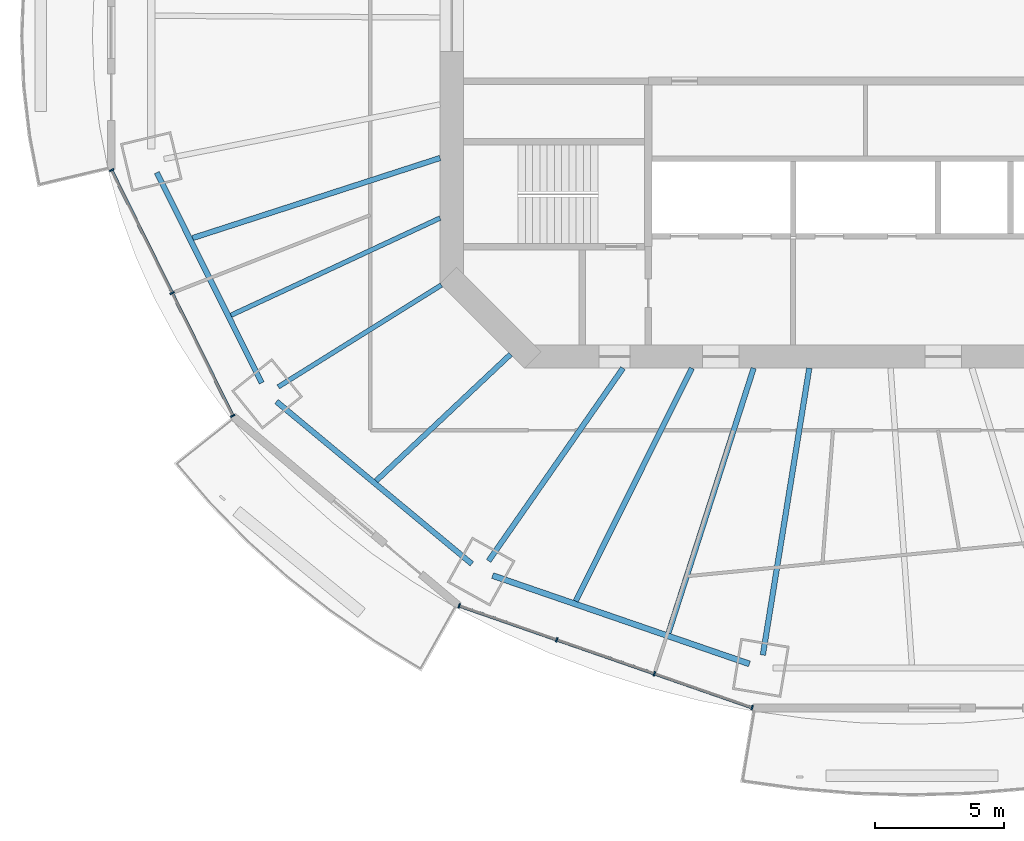
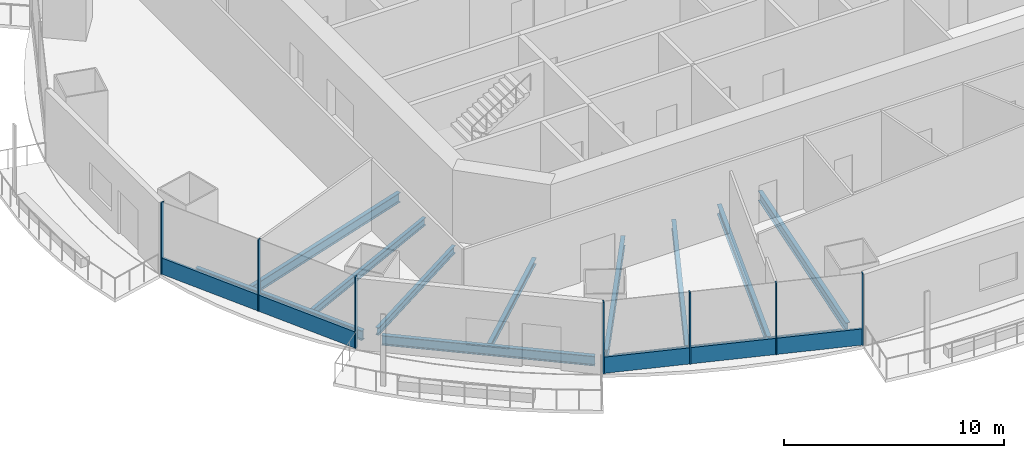
# One storey, part 2 of 21: 11 beams, 9 members, 2 elements without a shape of their own.
"""IFC4 building model written with IfcOpenShell, lengths in metres."""

import ifcopenshell
import ifcopenshell.guid

model = None  # the IFC model being written
_history = None  # IfcOwnerHistory: only IFC2X3 demands one
_inside = {}  # id of a spatial element -> (the spatial element, [elements in it])
_under = {}  # id of a project, library or spatial element -> (it, [spatial elements below it])
_declared = {}  # id of a project -> (the project, [libraries it declares])
_typed = {}  # id of a type object -> (the type object, [elements of that type])
_made_of = {}  # id of a material, layer set ... -> (it, [elements and type objects made of it])


def new_model(schema):
    """Start an empty IFC model of exactly this schema.

    Asked for "IFC4X3", IfcOpenShell would pick the latest addendum, in which some entities
    have other attributes; the version numbers below select the first issue.
    IFC2X3 requires an IfcOwnerHistory on every rooted entity: one is made here for all.
    """
    global model, _history
    if schema == "IFC4X3":
        model = ifcopenshell.file(schema_version=(4, 3, 0, 0))
    else:
        model = ifcopenshell.file(schema=schema)
    _inside.clear()
    _under.clear()
    _declared.clear()
    _typed.clear()
    _made_of.clear()
    _history = None
    if model.schema == "IFC2X3":
        org = make("IfcOrganization", Name="unknown")
        user = make(
            "IfcPersonAndOrganization",
            ThePerson=make("IfcPerson", FamilyName="unknown"),
            TheOrganization=org,
        )
        app = make(
            "IfcApplication",
            ApplicationDeveloper=org,
            Version="unknown",
            ApplicationFullName="unknown",
            ApplicationIdentifier="unknown",
        )
        _history = make(
            "IfcOwnerHistory",
            OwningUser=user,
            OwningApplication=app,
            ChangeAction="ADDED",
            CreationDate=0,
        )
    return model


def make(cls, **values):
    """One entity of the class cls with the attributes given. An attribute that is None is left unset."""
    return model.create_entity(
        cls, **{name: value for name, value in values.items() if value is not None}
    )


def rooted(cls, **values):
    """An entity with a GlobalId (a new one), such as an element, a storey or a relation."""
    return make(cls, GlobalId=ifcopenshell.guid.new(), OwnerHistory=_history, **values)


def si_unit(unit_type, name, prefix=None):
    """IfcSIUnit, for example si_unit("LENGTHUNIT", "METRE", prefix="MILLI")."""
    return make("IfcSIUnit", UnitType=unit_type, Prefix=prefix, Name=name)


def assignment(units):
    """IfcUnitAssignment: the units of a project."""
    return None if units is None else make("IfcUnitAssignment", Units=units)


def point(xyz):
    """IfcCartesianPoint."""
    return None if xyz is None else make("IfcCartesianPoint", Coordinates=xyz)


def direction(xyz):
    """IfcDirection."""
    return None if xyz is None else make("IfcDirection", DirectionRatios=xyz)


def frame(location, z_axis=None, x_axis=None):
    """IfcAxis2Placement3D, a coordinate frame: its origin and axes. An axis left out is left unset."""
    return make(
        "IfcAxis2Placement3D",
        Location=point(location),
        Axis=direction(z_axis),
        RefDirection=direction(x_axis),
    )


def frame_2d(location, x_axis=None):
    """IfcAxis2Placement2D, a coordinate frame in the plane: its origin and x axis."""
    return make(
        "IfcAxis2Placement2D", Location=point(location), RefDirection=direction(x_axis)
    )


def origin():
    """The frame at (0, 0, 0) with its axes left unset."""
    return frame((0.0, 0.0, 0.0))


def origin_2d():
    """The frame at (0, 0) in the plane with its x axis left unset."""
    return frame_2d((0.0, 0.0))


def place(relative_to, where):
    """IfcLocalPlacement: puts the frame where relative to a parent placement (None: the world)."""
    return make(
        "IfcLocalPlacement", PlacementRelTo=relative_to, RelativePlacement=where
    )


def context(
    kind, dimensions, precision=None, world=None, true_north=None, identifier=None
):
    """IfcGeometricRepresentationContext, for example the 3D "Model" context."""
    return make(
        "IfcGeometricRepresentationContext",
        ContextIdentifier=identifier,
        ContextType=kind,
        CoordinateSpaceDimension=dimensions,
        Precision=precision,
        WorldCoordinateSystem=world,
        TrueNorth=true_north,
    )


def subcontext(parent, identifier, kind, view, scale=None):
    """IfcGeometricRepresentationSubContext, for example "Body" below "Model"."""
    return make(
        "IfcGeometricRepresentationSubContext",
        ContextIdentifier=identifier,
        ContextType=kind,
        ParentContext=parent,
        TargetScale=scale,
        TargetView=view,
    )


def project(units=None, contexts=None):
    """IfcProject with its units and contexts."""
    return rooted(
        "IfcProject",
        Name="project",
        RepresentationContexts=contexts,
        UnitsInContext=assignment(units),
    )


def spatial(cls, under=None, at=None, **own):
    """A site, building, storey or space (cls), placed at a placement, below another one or the project."""
    s = rooted(cls, ObjectPlacement=at, **own)
    if under is not None:
        _under.setdefault(under.id(), (under, []))[1].append(s)
    return s


def profile(cls, at=None, kind="AREA", **sizes):
    """A parametric profile (cls). Its sizes go by their IFC names, for example OverallWidth=200.0."""
    return make(cls, ProfileType=kind, Position=at, **sizes)


def rectangle(**sizes):
    """IfcRectangleProfileDef."""
    return profile("IfcRectangleProfileDef", **sizes)


def i_section(**sizes):
    """IfcIShapeProfileDef."""
    return profile("IfcIShapeProfileDef", **sizes)


def extrude(swept, where, along, depth):
    """IfcExtrudedAreaSolid: the profile swept, set in the frame where, extruded along a direction by depth."""
    return make(
        "IfcExtrudedAreaSolid",
        SweptArea=swept,
        Position=where,
        ExtrudedDirection=direction(along),
        Depth=depth,
    )


def shape(context_of_items, identifier, shape_type, items):
    """IfcShapeRepresentation: the items that make up one representation, for example the "Body"."""
    return make(
        "IfcShapeRepresentation",
        ContextOfItems=context_of_items,
        RepresentationIdentifier=identifier,
        RepresentationType=shape_type,
        Items=items,
    )


def material(Name=None, Category=None):
    """IfcMaterial."""
    return make("IfcMaterial", Name=Name, Category=Category)


def material_profile(
    of_material, cross_section, Name=None, Category=None, Priority=None
):
    """IfcMaterialProfile: a cross section and its material."""
    return make(
        "IfcMaterialProfile",
        Name=Name,
        Material=of_material,
        Profile=cross_section,
        Priority=Priority,
        Category=Category,
    )


def profile_set(profiles, Name=None, composite=None):
    """IfcMaterialProfileSet."""
    return make(
        "IfcMaterialProfileSet",
        Name=Name,
        MaterialProfiles=profiles,
        CompositeProfile=composite,
    )


def made_of(thing, what):
    """Note that an element or type object is made of a material, layer set ...; save() writes the relation."""
    if what is not None:
        _made_of.setdefault(what.id(), (what, []))[1].append(thing)
    return thing


def type_object(cls, material=None, **own):
    """A type object (cls), such as IfcWallType, which elements share."""
    return made_of(rooted(cls, **own), material)


def element(
    cls,
    number,
    at=None,
    inside=None,
    cuts=None,
    type_object=None,
    material=None,
    context=None,
    identifier="Body",
    shape_type=None,
    held_by="IfcProductDefinitionShape",
    body=None,
    shapes=None,
    **own,
):
    """One element of the class cls, such as IfcWall. Its Tag is "e" and its number.

    at: its placement. inside: the storey or other place that contains it. cuts: it is an
    opening in that element (IfcRelVoidsElement). A single representation is given by context,
    identifier, shape_type and body (its items); several are given by shapes. held_by: the class
    of the entity that holds the representations. save() writes the other relations.
    """
    e = rooted(cls, Tag="e%d" % number, ObjectPlacement=at, **own)
    if body is not None:
        shapes = [shape(context, identifier, shape_type, body)]
    if shapes is not None:
        e.Representation = make(held_by, Representations=shapes)
    if inside is not None:
        _inside.setdefault(inside.id(), (inside, []))[1].append(e)
    if cuts is not None:
        rooted(
            "IfcRelVoidsElement", RelatingBuildingElement=cuts, RelatedOpeningElement=e
        )
    if type_object is not None:
        _typed.setdefault(type_object.id(), (type_object, []))[1].append(e)
    return made_of(e, material)


def aggregate(whole, parts):
    """IfcRelAggregates: a whole, such as a stair, and the parts it consists of."""
    return rooted("IfcRelAggregates", RelatingObject=whole, RelatedObjects=parts)


def save(model, path):
    """Write the relations noted so far, then the file.

    IfcRelAggregates (storeys below a building ...), IfcRelContainedInSpatialStructure (elements
    in a storey), IfcRelDefinesByType, IfcRelAssociatesMaterial and IfcRelDeclares: one each for
    every whole, place, type object, material and project.
    """
    for whole, parts in _under.values():
        aggregate(whole, parts)
    for where, things in _inside.values():
        rooted(
            "IfcRelContainedInSpatialStructure",
            RelatedElements=things,
            RelatingStructure=where,
        )
    for kind, things in _typed.values():
        rooted("IfcRelDefinesByType", RelatedObjects=things, RelatingType=kind)
    for what, things in _made_of.values():
        rooted("IfcRelAssociatesMaterial", RelatedObjects=things, RelatingMaterial=what)
    for by, libraries in _declared.values():
        rooted("IfcRelDeclares", RelatingContext=by, RelatedDefinitions=libraries)
    model.write(path)


model = new_model("IFC4")

# Units and contexts
model_context = context("Model", 3, precision=1e-05, world=origin(), true_north=direction((0.0, 1.0)))
body_context = subcontext(model_context, "Body", "Model", "MODEL_VIEW")
ifc_project = project(units=[si_unit("LENGTHUNIT", "METRE"), si_unit("AREAUNIT", "SQUARE_METRE"), si_unit("VOLUMEUNIT", "CUBIC_METRE"), si_unit("PLANEANGLEUNIT", "RADIAN"), si_unit("MASSUNIT", "GRAM", prefix="KILO")], contexts=[model_context])

# Site, building, storey
site_placement = place(None, origin())
site = spatial("IfcSite", under=ifc_project, at=site_placement, CompositionType="ELEMENT")
building_placement = place(site_placement, origin())
building = spatial("IfcBuilding", under=site, at=building_placement, Name="Marenthal Gate Tower", CompositionType="ELEMENT")
storey_placement = place(building_placement, frame((0.0, 0.0, 206.699951171875)))
storey = spatial("IfcBuildingStorey", under=building, at=storey_placement, Name="L45", CompositionType="ELEMENT", Elevation=206.699951171875)

# Curtain wall, members
ifc_material_1 = material(Name="Aluminium and glass", Category="aluminium")
curtain_wall_type = type_object("IfcCurtainWallType", Name="Curtain wall typical mid", PredefinedType="NOTDEFINED", material=ifc_material_1)
curtain_wall_1_placement = place(storey_placement, origin())
curtain_wall_1 = element("IfcCurtainWall", 1, at=curtain_wall_1_placement, inside=storey, type_object=curtain_wall_type, Name="Curtain wall L45 bay 9", PredefinedType="NOTDEFINED")
ifc_material_2 = material(Name="Aluminium", Category="aluminium")
ifc_material_profile_1 = material_profile(ifc_material_2, rectangle(XDim=0.179931640625, YDim=0.06005859375, at=origin_2d()), Name="60x180 aluminium mullion")
ifc_profile_set_1 = profile_set([ifc_material_profile_1], Name="Aluminium")
member_type_1 = type_object("IfcMemberType", Name="Mullion 60x180 typical mid", PredefinedType="MULLION", material=ifc_profile_set_1)
member_1_placement = place(storey_placement, frame((-29.152099609375, -5.7958984375, 0.0), z_axis=(0.0, 0.0, 1.0), x_axis=(0.896715617309, 0.442607164057, 0.0)))
member_1 = element("IfcMember", 2, at=member_1_placement, type_object=member_type_1, Name="Mullion L45 bay 9.1", PredefinedType="MULLION", context=body_context, shape_type="SweptSolid", body=[
    extrude(rectangle(XDim=0.179931640625, YDim=0.06005859375, at=origin_2d()), origin(), (0.0, 0.0, 1.0), 3.969970703125),
])
member_2_placement = place(storey_placement, frame((-26.808349609375, -10.54443359375, 0.0), z_axis=(0.0, 0.0, 1.0), x_axis=(0.896715617309, 0.442607164057, 0.0)))
member_2 = element("IfcMember", 3, at=member_2_placement, type_object=member_type_1, Name="Mullion L45 bay 9.2", PredefinedType="MULLION", context=body_context, shape_type="SweptSolid", body=[
    extrude(rectangle(XDim=0.179931640625, YDim=0.06005859375, at=origin_2d()), origin(), (0.0, 0.0, 1.0), 3.969970703125),
])
member_3_placement = place(storey_placement, frame((-24.46435546875, -15.29296875, 0.0), z_axis=(0.0, 0.0, 1.0), x_axis=(0.896715617309, 0.442607164057, 0.0)))
member_3 = element("IfcMember", 4, at=member_3_placement, type_object=member_type_1, Name="Mullion L45 bay 9.3", PredefinedType="MULLION", context=body_context, shape_type="SweptSolid", body=[
    extrude(rectangle(XDim=0.179931640625, YDim=0.06005859375, at=origin_2d()), origin(), (0.0, 0.0, 1.0), 3.969970703125),
])

curtain_wall_2_placement = place(storey_placement, origin())
curtain_wall_2 = element("IfcCurtainWall", 5, at=curtain_wall_2_placement, inside=storey, type_object=curtain_wall_type, Name="Curtain wall L45 bay 11", PredefinedType="NOTDEFINED")
member_4_placement = place(storey_placement, frame((-15.712158203125, -22.6396484375, 0.0), z_axis=(0.0, 0.0, 1.0), x_axis=(0.328332307555, 0.944562277362, 0.0)))
member_4 = element("IfcMember", 6, at=member_4_placement, type_object=member_type_1, Name="Mullion L45 bay 11.1", PredefinedType="MULLION", context=body_context, shape_type="SweptSolid", body=[
    extrude(rectangle(XDim=0.179931640625, YDim=0.06005859375, at=origin_2d()), origin(), (0.0, 0.0, 1.0), 3.969970703125),
])
member_5_placement = place(storey_placement, frame((-11.937255859375, -23.951904296875, 0.0), z_axis=(0.0, 0.0, 1.0), x_axis=(0.328332307555, 0.944562277362, 0.0)))
member_5 = element("IfcMember", 7, at=member_5_placement, type_object=member_type_1, Name="Mullion L45 bay 11.2", PredefinedType="MULLION", context=body_context, shape_type="SweptSolid", body=[
    extrude(rectangle(XDim=0.179931640625, YDim=0.06005859375, at=origin_2d()), origin(), (0.0, 0.0, 1.0), 3.969970703125),
])
member_6_placement = place(storey_placement, frame((-8.16259765625, -25.263916015625, 0.0), z_axis=(0.0, 0.0, 1.0), x_axis=(0.328332307555, 0.944562277362, 0.0)))
member_6 = element("IfcMember", 8, at=member_6_placement, type_object=member_type_1, Name="Mullion L45 bay 11.3", PredefinedType="MULLION", context=body_context, shape_type="SweptSolid", body=[
    extrude(rectangle(XDim=0.179931640625, YDim=0.06005859375, at=origin_2d()), origin(), (0.0, 0.0, 1.0), 3.969970703125),
])
member_7_placement = place(storey_placement, frame((-4.3876953125, -26.576171875, 0.0), z_axis=(0.0, 0.0, 1.0), x_axis=(0.328332307555, 0.944562277362, 0.0)))
member_7 = element("IfcMember", 9, at=member_7_placement, type_object=member_type_1, Name="Mullion L45 bay 11.4", PredefinedType="MULLION", context=body_context, shape_type="SweptSolid", body=[
    extrude(rectangle(XDim=0.179931640625, YDim=0.06005859375, at=origin_2d()), origin(), (0.0, 0.0, 1.0), 3.969970703125),
])

# Member
ifc_material_3 = material(Name="Aluminium", Category="aluminium")
ifc_material_profile_2 = material_profile(ifc_material_3, rectangle(XDim=0.1201171875, YDim=0.89990234375, at=origin_2d()), Name="120x900 aluminium transom")
ifc_profile_set_2 = profile_set([ifc_material_profile_2], Name="Aluminium")
member_type_2 = type_object("IfcMemberType", Name="Transom 120x900 typical mid", PredefinedType="USERDEFINED", material=ifc_profile_set_2)
member_8_placement = place(storey_placement, frame((-29.138916015625, -5.82275390625, 0.449951171875), z_axis=(0.442608192254, -0.896715109804, 0.0), x_axis=(0.896715109804, 0.442608192254, 0.0)))
member_8 = element("IfcMember", 10, at=member_8_placement, type_object=member_type_2, Name="Transom L45 bay 9", ObjectType="TRANSOM", PredefinedType="USERDEFINED", context=body_context, shape_type="SweptSolid", body=[
    extrude(rectangle(XDim=0.1201171875, YDim=0.89990234375, at=origin_2d()), origin(), (0.0, 0.0, 1.0), 10.531005859375),
])

aggregate(curtain_wall_1, [member_1, member_2, member_3, member_8])

member_9_placement = place(storey_placement, frame((-15.683837890625, -22.6494140625, 0.449951171875), z_axis=(0.944561661675, -0.328334078787, 0.0), x_axis=(0.328334078787, 0.944561661675, 0.0)))
member_9 = element("IfcMember", 11, at=member_9_placement, type_object=member_type_2, Name="Transom L45 bay 11", ObjectType="TRANSOM", PredefinedType="USERDEFINED", context=body_context, shape_type="SweptSolid", body=[
    extrude(rectangle(XDim=0.1201171875, YDim=0.89990234375, at=origin_2d()), origin(), (0.0, 0.0, 1.0), 11.92919921875),
])

aggregate(curtain_wall_2, [member_4, member_5, member_6, member_7, member_9])

# Beams
ifc_material_4 = material(Name="Steel S355", Category="steel")
ifc_material_profile_3 = material_profile(ifc_material_4, i_section(OverallWidth=0.205078125, OverallDepth=0.35302734375, WebThickness=0.009521484375, FlangeThickness=0.016845703125, FilletRadius=0.014892578125, at=origin_2d()), Name="W360X79")
ifc_profile_set_3 = profile_set([ifc_material_profile_3], Name="Steel S355")
beam_type_1 = type_object("IfcBeamType", Name="W360X79 beam", PredefinedType="BEAM", material=ifc_profile_set_3)
beam_1_placement = place(storey_placement, frame((-18.92236328125, -17.805908203125, -0.3564453125), z_axis=(0.728272270836, 0.685287895363, 0.0), x_axis=(-0.685287895363, 0.728272270836, 0.0)))
element("IfcBeam", 12, at=beam_1_placement, inside=storey, type_object=beam_type_1, Name="BM-L45-31", PredefinedType="BEAM", context=body_context, shape_type="SweptSolid", body=[
    extrude(i_section(OverallWidth=0.205078125, OverallDepth=0.35302734375, WebThickness=0.009521484375, FlangeThickness=0.016845703125, FilletRadius=0.014892578125, at=origin_2d()), origin(), (0.0, 0.0, 1.0), 7.139404296875),
])
ifc_material_5 = material(Name="Steel S355", Category="steel")
ifc_material_profile_4 = material_profile(ifc_material_5, i_section(OverallWidth=0.180908203125, OverallDepth=0.4169921875, WebThickness=0.010986328125, FlangeThickness=0.018310546875, FilletRadius=0.01025390625, at=origin_2d()), Name="W410X85")
ifc_profile_set_4 = profile_set([ifc_material_profile_4], Name="Steel S355")
beam_type_2 = type_object("IfcBeamType", Name="W410X85 beam", PredefinedType="BEAM", material=ifc_profile_set_4)
beam_2_placement = place(storey_placement, frame((-22.707275390625, -14.17333984375, -0.388427734375), z_axis=(0.848320973647, 0.529482318562, 0.0), x_axis=(-0.529482318562, 0.848320973647, 0.0)))
element("IfcBeam", 13, at=beam_2_placement, inside=storey, type_object=beam_type_2, Name="BM-L45-10", PredefinedType="BEAM", context=body_context, shape_type="SweptSolid", body=[
    extrude(i_section(OverallWidth=0.180908203125, OverallDepth=0.4169921875, WebThickness=0.010986328125, FlangeThickness=0.018310546875, FilletRadius=0.01025390625, at=origin_2d()), origin(), (0.0, 0.0, 1.0), 7.43505859375),
])
beam_3_placement = place(storey_placement, frame((-24.533935546875, -11.403564453125, -0.388427734375), z_axis=(0.9068250779, 0.4215071507, 0.0), x_axis=(-0.4215071507, 0.9068250779, 0.0)))
element("IfcBeam", 14, at=beam_3_placement, inside=storey, type_object=beam_type_2, Name="BM-L45-30", PredefinedType="BEAM", context=body_context, shape_type="SweptSolid", body=[
    extrude(i_section(OverallWidth=0.180908203125, OverallDepth=0.4169921875, WebThickness=0.010986328125, FlangeThickness=0.018310546875, FilletRadius=0.01025390625, at=origin_2d()), origin(), (0.0, 0.0, 1.0), 8.91455078125),
])
ifc_material_6 = material(Name="Steel S355", Category="steel")
ifc_material_profile_5 = material_profile(ifc_material_6, i_section(OverallWidth=0.2099609375, OverallDepth=0.535888671875, WebThickness=0.010986328125, FlangeThickness=0.017333984375, FilletRadius=0.0126953125, at=origin_2d()), Name="W530X101")
ifc_profile_set_5 = profile_set([ifc_material_profile_5], Name="Steel S355")
beam_type_3 = type_object("IfcBeamType", Name="W530X101 beam", PredefinedType="BEAM", material=ifc_profile_set_5)
beam_4_placement = place(storey_placement, frame((-14.57373046875, -20.901611328125, -0.447998046875), z_axis=(0.571957090285, 0.820283540535, 0.0), x_axis=(-0.820283540535, 0.571957090285, 0.0)))
element("IfcBeam", 15, at=beam_4_placement, inside=storey, type_object=beam_type_3, Name="BM-L45-11", PredefinedType="BEAM", context=body_context, shape_type="SweptSolid", body=[
    extrude(i_section(OverallWidth=0.2099609375, OverallDepth=0.535888671875, WebThickness=0.010986328125, FlangeThickness=0.017333984375, FilletRadius=0.0126953125, at=origin_2d()), origin(), (0.0, 0.0, 1.0), 9.084228515625),
])
beam_5_placement = place(storey_placement, frame((-26.02099609375, -8.42138671875, -0.447998046875), z_axis=(0.951418383644, 0.30790105434, 0.0), x_axis=(-0.30790105434, 0.951418383644, 0.0)))
element("IfcBeam", 16, at=beam_5_placement, inside=storey, type_object=beam_type_3, Name="BM-L45-29", PredefinedType="BEAM", context=body_context, shape_type="SweptSolid", body=[
    extrude(i_section(OverallWidth=0.2099609375, OverallDepth=0.535888671875, WebThickness=0.010986328125, FlangeThickness=0.017333984375, FilletRadius=0.0126953125, at=origin_2d()), origin(), (0.0, 0.0, 1.0), 10.059814453125),
])
beam_6_placement = place(storey_placement, frame((-11.207275390625, -22.452880859375, -0.447998046875), z_axis=(0.446611768223, 0.894727851631, 0.0), x_axis=(-0.894727851631, 0.446611768223, 0.0)))
element("IfcBeam", 17, at=beam_6_placement, inside=storey, type_object=beam_type_3, Name="BM-L45-32", PredefinedType="BEAM", context=body_context, shape_type="SweptSolid", body=[
    extrude(i_section(OverallWidth=0.2099609375, OverallDepth=0.535888671875, WebThickness=0.010986328125, FlangeThickness=0.017333984375, FilletRadius=0.0126953125, at=origin_2d()), origin(), (0.0, 0.0, 1.0), 10.062255859375),
])
beam_7_placement = place(storey_placement, frame((-7.619873046875, -23.687255859375, -0.447998046875), z_axis=(0.30623257403, 0.951956727275, 0.0), x_axis=(-0.951956727275, 0.30623257403, 0.0)))
element("IfcBeam", 18, at=beam_7_placement, inside=storey, type_object=beam_type_3, Name="BM-L45-33", PredefinedType="BEAM", context=body_context, shape_type="SweptSolid", body=[
    extrude(i_section(OverallWidth=0.2099609375, OverallDepth=0.535888671875, WebThickness=0.010986328125, FlangeThickness=0.017333984375, FilletRadius=0.0126953125, at=origin_2d()), origin(), (0.0, 0.0, 1.0), 10.75390625),
])
ifc_material_7 = material(Name="Steel S355", Category="steel")
ifc_material_profile_6 = material_profile(ifc_material_7, i_section(OverallWidth=0.2119140625, OverallDepth=0.5439453125, WebThickness=0.01318359375, FlangeThickness=0.021240234375, FilletRadius=0.0126953125, at=origin_2d()), Name="W530X123")
ifc_profile_set_6 = profile_set([ifc_material_profile_6], Name="Steel S355")
beam_type_4 = type_object("IfcBeamType", Name="W530X123 beam", PredefinedType="BEAM", material=ifc_profile_set_6)
beam_8_placement = place(storey_placement, frame((-3.97119140625, -24.542724609375, -0.451904296875), z_axis=(0.159732433906, 0.987160346427, 0.0), x_axis=(-0.987160346427, 0.159732433906, 0.0)))
element("IfcBeam", 19, at=beam_8_placement, inside=storey, type_object=beam_type_4, Name="BM-L45-12", PredefinedType="BEAM", context=body_context, shape_type="SweptSolid", body=[
    extrude(i_section(OverallWidth=0.2119140625, OverallDepth=0.5439453125, WebThickness=0.01318359375, FlangeThickness=0.021240234375, FilletRadius=0.0126953125, at=origin_2d()), origin(), (0.0, 0.0, 1.0), 11.237060546875),
])
beam_9_placement = place(storey_placement, frame((-27.40380859375, -5.885986328125, -0.451904296875), z_axis=(0.446246270187, -0.894910200157, 0.0), x_axis=(0.894910200157, 0.446246270187, 0.0)))
element("IfcBeam", 20, at=beam_9_placement, inside=storey, type_object=beam_type_4, Name="BM-L45-49", PredefinedType="BEAM", context=body_context, shape_type="SweptSolid", body=[
    extrude(i_section(OverallWidth=0.2119140625, OverallDepth=0.5439453125, WebThickness=0.01318359375, FlangeThickness=0.021240234375, FilletRadius=0.0126953125, at=origin_2d()), origin(), (0.0, 0.0, 1.0), 9.08837890625),
])
beam_10_placement = place(storey_placement, frame((-22.7763671875, -14.741943359375, -0.451904296875), z_axis=(0.769206538699, -0.639000235386, 0.0), x_axis=(0.639000235386, 0.769206538699, 0.0)))
element("IfcBeam", 21, at=beam_10_placement, inside=storey, type_object=beam_type_4, Name="BM-L45-50", PredefinedType="BEAM", context=body_context, shape_type="SweptSolid", body=[
    extrude(i_section(OverallWidth=0.2119140625, OverallDepth=0.5439453125, WebThickness=0.01318359375, FlangeThickness=0.021240234375, FilletRadius=0.0126953125, at=origin_2d()), origin(), (0.0, 0.0, 1.0), 9.8212890625),
])
ifc_material_8 = material(Name="Steel S355", Category="steel")
ifc_material_profile_7 = material_profile(ifc_material_8, i_section(OverallWidth=0.22900390625, OverallDepth=0.612060546875, WebThickness=0.011962890625, FlangeThickness=0.01953125, FilletRadius=0.0126953125, at=origin_2d()), Name="W610X125")
ifc_profile_set_7 = profile_set([ifc_material_profile_7], Name="Steel S355")
beam_type_5 = type_object("IfcBeamType", Name="W610X125 beam", PredefinedType="BEAM", material=ifc_profile_set_7)
beam_11_placement = place(storey_placement, frame((-14.423095703125, -21.46728515625, -0.48583984375), z_axis=(0.945582956363, -0.325381119053, 0.0), x_axis=(0.325381119053, 0.945582956363, 0.0)))
element("IfcBeam", 22, at=beam_11_placement, inside=storey, type_object=beam_type_5, Name="BM-L45-51", PredefinedType="BEAM", context=body_context, shape_type="SweptSolid", body=[
    extrude(i_section(OverallWidth=0.22900390625, OverallDepth=0.612060546875, WebThickness=0.011962890625, FlangeThickness=0.01953125, FilletRadius=0.0126953125, at=origin_2d()), origin(), (0.0, 0.0, 1.0), 10.50537109375),
])

save(model, "model.ifc")
